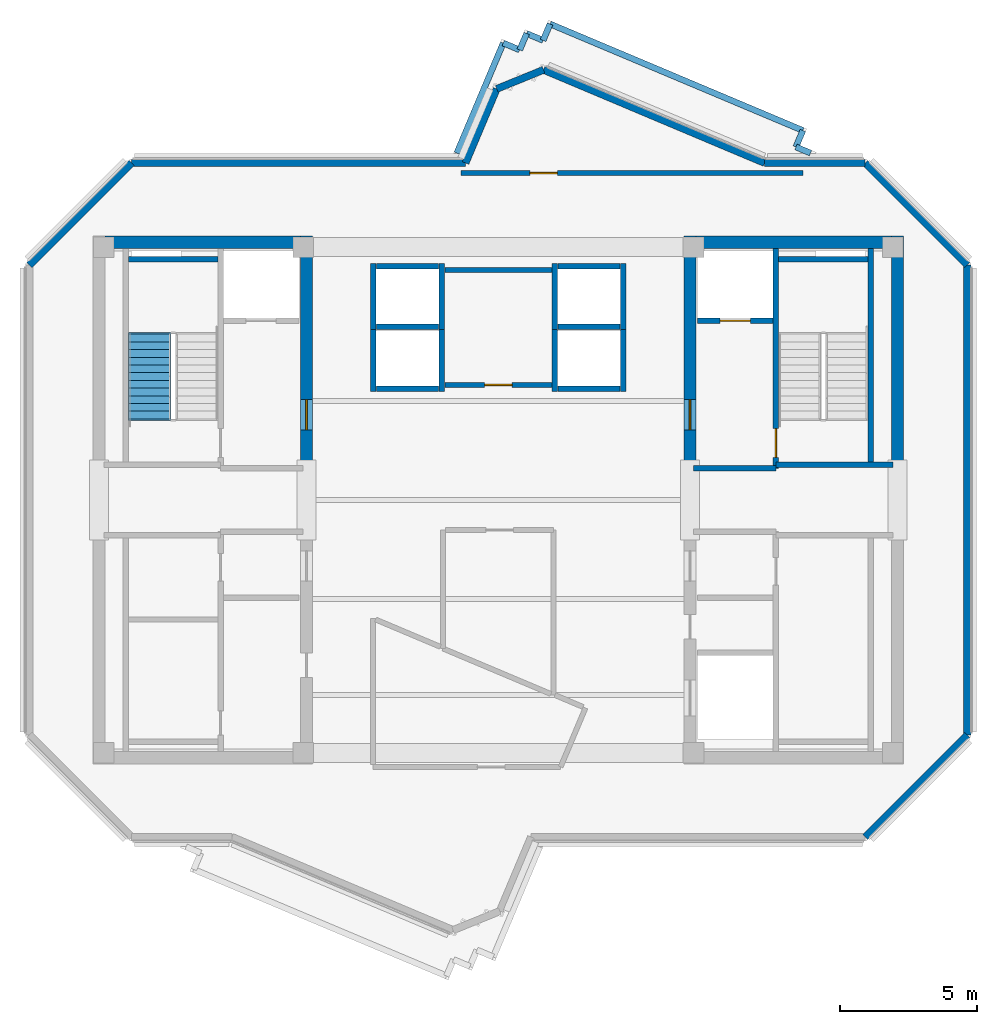
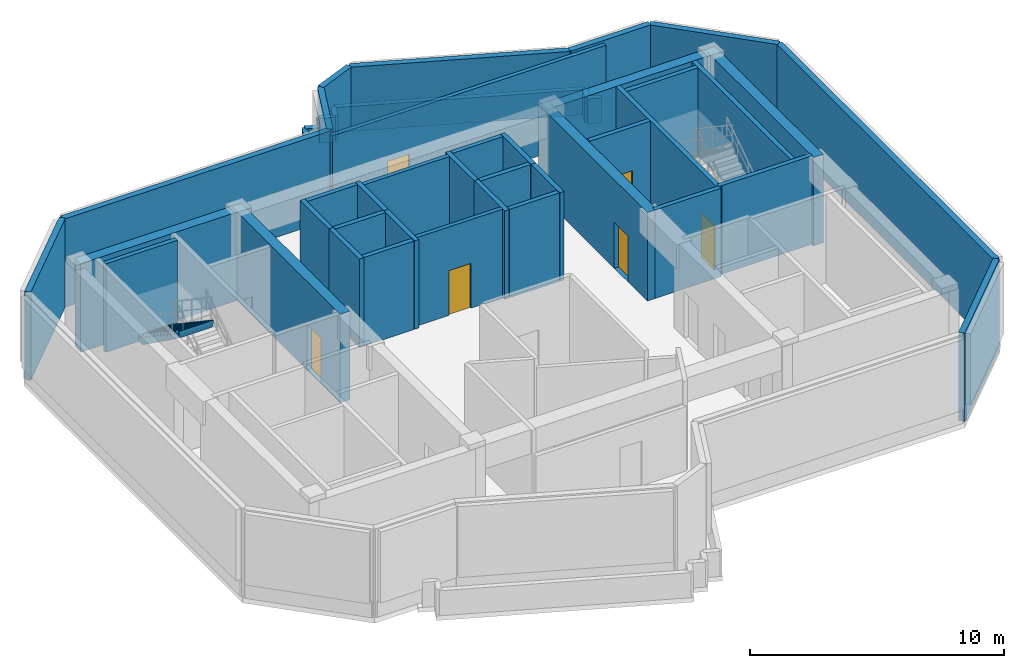
# One storey, part 3 of 6: 46 walls, 6 doors, 1 stair flight, 6 openings, 1 element without a shape of its own.
"""IFC4 building model written with IfcOpenShell, lengths in metres."""

from ifc_helpers import new_model, si_unit, direction, frame, frame_2d, origin, place, context, subcontext, project, spatial, polyline, rectangle, outline, extrude, source, transform, mapped, material, layer, layer_set, type_object, element, fill, aggregate, save


model = new_model("IFC4")

# Units and contexts
model_context = context("Model", 3, precision=1e-05, world=origin(), true_north=direction((0.0, 1.0)))
body_context = subcontext(model_context, "Body", "Model", "MODEL_VIEW")
ifc_project = project(units=[si_unit("LENGTHUNIT", "METRE"), si_unit("AREAUNIT", "SQUARE_METRE"), si_unit("VOLUMEUNIT", "CUBIC_METRE"), si_unit("PLANEANGLEUNIT", "RADIAN"), si_unit("MASSUNIT", "GRAM", prefix="KILO")], contexts=[model_context])

# Site, building, storey
site_placement = place(None, origin())
site = spatial("IfcSite", under=ifc_project, at=site_placement, CompositionType="ELEMENT")
building_placement = place(site_placement, origin())
building = spatial("IfcBuilding", under=site, at=building_placement, Name="Zahravan Cultural Tower", CompositionType="ELEMENT")
storey_placement = place(building_placement, frame((0.0, 0.0, 370.64990234375)))
storey = spatial("IfcBuildingStorey", under=building, at=storey_placement, Name="L90", CompositionType="ELEMENT", Elevation=370.64990234375)

# Wall, opening, door
ifc_material_1 = material(Name="Concrete C50/60", Category="concrete")
ifc_layer_1 = layer(ifc_material_1, 0.449951171875)
ifc_layer_set_1 = layer_set([ifc_layer_1], Name="Concrete C50/60")
wall_type_1 = type_object("IfcWallType", Name="CW-SHEAR-450-C50", PredefinedType="SHEAR", material=ifc_layer_set_1)
wall_1_placement = place(storey_placement, frame((29.02490234375, 28.050048828125, 0.0), z_axis=(0.0, 0.0, 1.0), x_axis=(0.0, 1.0, 0.0)))
wall_1 = element("IfcWall", 1, at=wall_1_placement, inside=storey, type_object=wall_type_1, Name="L90 Core Shear Wall CW-W-EN-L90", PredefinedType="SHEAR", context=body_context, shape_type="SweptSolid", body=[
    extrude(rectangle(XDim=8.550048828125, YDim=0.449951171875, at=frame_2d((4.27490234375, 0.0))), origin(), (0.0, 0.0, 1.0), 4.25),
])
opening_1_placement = place(wall_1_placement, frame((1.5, 0.0, 0.0)))
opening_1 = element("IfcOpeningElement", 2, at=opening_1_placement, cuts=wall_1, Name="Opening D-L90-06", PredefinedType="OPENING", context=body_context, shape_type="SweptSolid", body=[
    extrude(rectangle(XDim=1.10009765625, YDim=2.199951171875, at=frame_2d((0.550048828125, 1.10009765625))), frame((0.0, 0.23486328125, 0.0), z_axis=(0.0, -1.0, 0.0), x_axis=(1.0, 0.0, 0.0)), (0.0, 0.0, 1.0), 0.469970703125),
])
ifc_material_2 = material(Name="Steel ASTM A572 Grade 50", Category="steel")
door_type_1 = type_object("IfcDoorType", Name="DR-LOBBY-1100", OperationType="NOTDEFINED", PredefinedType="DOOR", material=ifc_material_2)
shared_shape_1 = source(origin(), body_context, "Body", "SweptSolid", [
    extrude(rectangle(XDim=1.10009765625, YDim=2.199951171875, at=frame_2d((0.550048828125, 1.10009765625))), frame((0.0, 0.02490234375, 0.0), z_axis=(0.0, -1.0, 0.0), x_axis=(1.0, 0.0, 0.0)), (0.0, 0.0, 1.0), 0.050048828125),
])
door_1_placement = place(opening_1_placement, origin())
door_1 = element("IfcDoor", 3, at=door_1_placement, inside=storey, type_object=door_type_1, Name="L90 Door D-L90-06", OperationType="SINGLE_SWING_RIGHT", OverallHeight=2.199951171875, OverallWidth=1.10009765625, PredefinedType="DOOR", context=body_context, shape_type="MappedRepresentation", body=[
    mapped(shared_shape_1, transform((0.0, 0.0, 0.0), x_axis=(1.0, 0.0, 0.0), y_axis=(0.0, 1.0, 0.0), z_axis=(0.0, 0.0, 1.0), scale=1.0)),
])
fill(opening_1, door_1)

wall_2_placement = place(storey_placement, frame((42.97509765625, 28.050048828125, 0.0), z_axis=(0.0, 0.0, 1.0), x_axis=(0.0, 1.0, 0.0)))
wall_2 = element("IfcWall", 4, at=wall_2_placement, inside=storey, type_object=wall_type_1, Name="L90 Core Shear Wall CW-E-WN-L90", PredefinedType="SHEAR", context=body_context, shape_type="SweptSolid", body=[
    extrude(rectangle(XDim=8.550048828125, YDim=0.449951171875, at=frame_2d((4.27490234375, 0.0))), origin(), (0.0, 0.0, 1.0), 4.25),
])
opening_2_placement = place(wall_2_placement, frame((1.5, 0.0, 0.0)))
opening_2 = element("IfcOpeningElement", 5, at=opening_2_placement, cuts=wall_2, Name="Opening D-L90-07", PredefinedType="OPENING", context=body_context, shape_type="SweptSolid", body=[
    extrude(rectangle(XDim=1.10009765625, YDim=2.199951171875, at=frame_2d((0.550048828125, 1.10009765625))), frame((0.0, 0.23486328125, 0.0), z_axis=(0.0, -1.0, 0.0), x_axis=(1.0, 0.0, 0.0)), (0.0, 0.0, 1.0), 0.469970703125),
])
door_2_placement = place(opening_2_placement, origin())
door_2 = element("IfcDoor", 6, at=door_2_placement, inside=storey, type_object=door_type_1, Name="L90 Door D-L90-07", OperationType="SINGLE_SWING_LEFT", OverallHeight=2.199951171875, OverallWidth=1.10009765625, PredefinedType="DOOR", context=body_context, shape_type="MappedRepresentation", body=[
    mapped(shared_shape_1, transform((0.0, 0.0, 0.0), x_axis=(1.0, 0.0, 0.0), y_axis=(0.0, 1.0, 0.0), z_axis=(0.0, 0.0, 1.0), scale=1.0)),
])
fill(opening_2, door_2)

ifc_material_3 = material(Name="Gypsum plasterboard partition")
ifc_layer_2 = layer(ifc_material_3, 0.179931640625)
ifc_layer_set_2 = layer_set([ifc_layer_2], Name="Gypsum plasterboard partition")
wall_type_2 = type_object("IfcWallType", Name="W-COMP-180", PredefinedType="PARTITIONING", material=ifc_layer_set_2)
wall_3_placement = place(storey_placement, frame((37.945068359375, 31.18994140625, 0.0), z_axis=(0.0, 0.0, 1.0), x_axis=(-1.0, 0.0, 0.0)))
wall_3 = element("IfcWall", 7, at=wall_3_placement, inside=storey, type_object=wall_type_2, Name="L90 Interior Wall 042", PredefinedType="PARTITIONING", context=body_context, shape_type="SweptSolid", body=[
    extrude(rectangle(XDim=3.89013671875, YDim=0.179931640625, at=frame_2d((1.945068359375, 0.0))), origin(), (0.0, 0.0, 1.0), 4.25),
])
opening_3_placement = place(wall_3_placement, frame((1.445068359375, 0.0, 0.0)))
opening_3 = element("IfcOpeningElement", 8, at=opening_3_placement, cuts=wall_3, Name="Opening D-L90-12", PredefinedType="OPENING", context=body_context, shape_type="SweptSolid", body=[
    extrude(rectangle(XDim=1.0, YDim=2.14990234375, at=frame_2d((0.5, 1.074951171875))), frame((0.0, 0.099853515625, 0.0), z_axis=(0.0, -1.0, 0.0), x_axis=(1.0, 0.0, 0.0)), (0.0, 0.0, 1.0), 0.199951171875),
])
door_type_2 = type_object("IfcDoorType", Name="DR-COMP-1000", OperationType="NOTDEFINED", PredefinedType="DOOR", material=ifc_material_2)
shared_shape_2 = source(origin(), body_context, "Body", "SweptSolid", [
    extrude(rectangle(XDim=1.0, YDim=2.14990234375, at=frame_2d((0.5, 1.074951171875))), frame((0.0, 0.02490234375, 0.0), z_axis=(0.0, -1.0, 0.0), x_axis=(1.0, 0.0, 0.0)), (0.0, 0.0, 1.0), 0.050048828125),
])
door_3_placement = place(opening_3_placement, origin())
door_3 = element("IfcDoor", 9, at=door_3_placement, inside=storey, type_object=door_type_2, Name="L90 Door D-L90-12", OperationType="SINGLE_SWING_RIGHT", OverallHeight=2.14990234375, OverallWidth=1.0, PredefinedType="DOOR", context=body_context, shape_type="MappedRepresentation", body=[
    mapped(shared_shape_2, transform((0.0, 0.0, 0.0), x_axis=(1.0, 0.0, 0.0), y_axis=(0.0, 1.0, 0.0), z_axis=(0.0, 0.0, 1.0), scale=1.0)),
])
fill(opening_3, door_3)

wall_4_placement = place(storey_placement, frame((47.07861328125, 38.89111328125, 0.0), z_axis=(0.0, 0.0, 1.0), x_axis=(-0.999999995176, -9.8227967e-05, 0.0)))
wall_4 = element("IfcWall", 10, at=wall_4_placement, inside=storey, type_object=wall_type_2, Name="L90 Interior Wall 047", PredefinedType="PARTITIONING", context=body_context, shape_type="SweptSolid", body=[
    extrude(rectangle(XDim=12.42724609375, YDim=0.179931640625, at=frame_2d((6.213623046875, 0.0))), origin(), (0.0, 0.0, 1.0), 4.25),
])
opening_4_placement = place(wall_4_placement, frame((8.92724609375, 0.0, 0.0)))
opening_4 = element("IfcOpeningElement", 11, at=opening_4_placement, cuts=wall_4, Name="Opening D-L90-13", PredefinedType="OPENING", context=body_context, shape_type="SweptSolid", body=[
    extrude(rectangle(XDim=1.0, YDim=2.14990234375, at=frame_2d((0.5, 1.074951171875))), frame((0.0, 0.099853515625, 0.0), z_axis=(0.0, -1.0, 0.0), x_axis=(1.0, 0.0, 0.0)), (0.0, 0.0, 1.0), 0.199951171875),
])
door_4_placement = place(opening_4_placement, origin())
door_4 = element("IfcDoor", 12, at=door_4_placement, inside=storey, type_object=door_type_2, Name="L90 Door D-L90-13", OperationType="SINGLE_SWING_LEFT", OverallHeight=2.14990234375, OverallWidth=1.0, PredefinedType="DOOR", context=body_context, shape_type="MappedRepresentation", body=[
    mapped(shared_shape_2, transform((0.0, 0.0, 0.0), x_axis=(1.0, 0.0, 0.0), y_axis=(0.0, 1.0, 0.0), z_axis=(0.0, 0.0, 1.0), scale=1.0)),
])
fill(opening_4, door_4)

ifc_material_4 = material(Name="Concrete C45/55", Category="concrete")
ifc_layer_3 = layer(ifc_material_4, 0.199951171875)
ifc_layer_set_3 = layer_set([ifc_layer_3], Name="Concrete C45/55")
wall_type_3 = type_object("IfcWallType", Name="W-SHAFT-200", PredefinedType="SOLIDWALL", material=ifc_layer_set_3)
wall_5_placement = place(storey_placement, frame((46.10009765625, 28.14990234375, 0.0), z_axis=(0.0, 0.0, 1.0), x_axis=(0.0, 1.0, 0.0)))
wall_5 = element("IfcWall", 13, at=wall_5_placement, inside=storey, type_object=wall_type_3, Name="L90 Interior Wall 008", PredefinedType="SOLIDWALL", context=body_context, shape_type="SweptSolid", body=[
    extrude(rectangle(XDim=8.0, YDim=0.199951171875, at=frame_2d((4.0, 0.0))), origin(), (0.0, 0.0, 1.0), 4.25),
])
opening_5_placement = place(wall_5_placement, frame((0.39990234375, 0.0, 0.0)))
opening_5 = element("IfcOpeningElement", 14, at=opening_5_placement, cuts=wall_5, Name="Opening D-L90-02", PredefinedType="OPENING", context=body_context, shape_type="SweptSolid", body=[
    extrude(rectangle(XDim=1.050048828125, YDim=2.14990234375, at=frame_2d((0.52490234375, 1.074951171875))), frame((0.0, 0.10986328125, 0.0), z_axis=(0.0, -1.0, 0.0), x_axis=(1.0, 0.0, 0.0)), (0.0, 0.0, 1.0), 0.219970703125),
])
door_type_3 = type_object("IfcDoorType", Name="DR-STAIR-1050", OperationType="NOTDEFINED", PredefinedType="DOOR", material=ifc_material_2)
shared_shape_3 = source(origin(), body_context, "Body", "SweptSolid", [
    extrude(rectangle(XDim=1.050048828125, YDim=2.14990234375, at=frame_2d((0.52490234375, 1.074951171875))), frame((0.0, 0.02490234375, 0.0), z_axis=(0.0, -1.0, 0.0), x_axis=(1.0, 0.0, 0.0)), (0.0, 0.0, 1.0), 0.050048828125),
])
door_5_placement = place(opening_5_placement, origin())
door_5 = element("IfcDoor", 15, at=door_5_placement, inside=storey, type_object=door_type_3, Name="L90 Door D-L90-02", OperationType="SINGLE_SWING_RIGHT", OverallHeight=2.14990234375, OverallWidth=1.050048828125, PredefinedType="DOOR", context=body_context, shape_type="MappedRepresentation", body=[
    mapped(shared_shape_3, transform((0.0, 0.0, 0.0), x_axis=(1.0, 0.0, 0.0), y_axis=(0.0, 1.0, 0.0), z_axis=(0.0, 0.0, 1.0), scale=1.0)),
])
fill(opening_5, door_5)

wall_6_placement = place(storey_placement, frame((43.25, 33.52001953125, 0.0), z_axis=(0.0, 0.0, 1.0), x_axis=(1.0, 0.0, 0.0)))
wall_6 = element("IfcWall", 16, at=wall_6_placement, inside=storey, type_object=wall_type_3, Name="L90 Interior Wall 023", PredefinedType="SOLIDWALL", context=body_context, shape_type="SweptSolid", body=[
    extrude(rectangle(XDim=2.75, YDim=0.199951171875, at=frame_2d((1.375, 0.0))), origin(), (0.0, 0.0, 1.0), 4.25),
])
opening_6_placement = place(wall_6_placement, frame((0.820068359375, 0.0, 0.0)))
opening_6 = element("IfcOpeningElement", 17, at=opening_6_placement, cuts=wall_6, Name="Opening LD-L90-02", PredefinedType="OPENING", context=body_context, shape_type="SweptSolid", body=[
    extrude(rectangle(XDim=1.10009765625, YDim=2.14990234375, at=frame_2d((0.550048828125, 1.074951171875))), frame((0.0, 0.10986328125, 0.0), z_axis=(0.0, -1.0, 0.0), x_axis=(1.0, 0.0, 0.0)), (0.0, 0.0, 1.0), 0.219970703125),
])
door_type_4 = type_object("IfcDoorType", Name="DR-LIFT-1100", OperationType="DOUBLE_DOOR_SLIDING", PredefinedType="DOOR", material=ifc_material_2)
shared_shape_4 = source(origin(), body_context, "Body", "SweptSolid", [
    extrude(rectangle(XDim=1.10009765625, YDim=2.14990234375, at=frame_2d((0.550048828125, 1.074951171875))), frame((0.0, 0.02490234375, 0.0), z_axis=(0.0, -1.0, 0.0), x_axis=(1.0, 0.0, 0.0)), (0.0, 0.0, 1.0), 0.050048828125),
])
door_6_placement = place(opening_6_placement, origin())
door_6 = element("IfcDoor", 18, at=door_6_placement, inside=storey, type_object=door_type_4, Name="L90 Door LD-L90-02", OperationType="DOUBLE_DOOR_SLIDING", OverallHeight=2.14990234375, OverallWidth=1.10009765625, PredefinedType="DOOR", context=body_context, shape_type="MappedRepresentation", body=[
    mapped(shared_shape_4, transform((0.0, 0.0, 0.0), x_axis=(1.0, 0.0, 0.0), y_axis=(0.0, 1.0, 0.0), z_axis=(0.0, 0.0, 1.0), scale=1.0)),
])
fill(opening_6, door_6)

# Walls
shared_shape_5 = source(origin(), body_context, "Body", "SweptSolid", [
    extrude(rectangle(XDim=8.550048828125, YDim=0.449951171875, at=frame_2d((4.27490234375, 0.0))), origin(), (0.0, 0.0, 1.0), 4.25),
])
wall_7_placement = place(storey_placement, frame((50.52490234375, 28.050048828125, 0.0), z_axis=(0.0, 0.0, 1.0), x_axis=(0.0, 1.0, 0.0)))
element("IfcWall", 19, at=wall_7_placement, inside=storey, type_object=wall_type_1, Name="L90 Core Shear Wall CW-E-EN-L90", PredefinedType="SHEAR", context=body_context, shape_type="MappedRepresentation", body=[
    mapped(shared_shape_5, transform((0.0, 0.0, 0.0), x_axis=(1.0, 0.0, 0.0), y_axis=(0.0, 1.0, 0.0), z_axis=(0.0, 0.0, 1.0), scale=1.0)),
])
shared_shape_6 = source(origin(), body_context, "Body", "SweptSolid", [
    extrude(rectangle(XDim=7.10009765625, YDim=0.449951171875, at=frame_2d((3.550048828125, 0.0))), origin(), (0.0, 0.0, 1.0), 4.25),
])
for number, where, z_axis, x_axis, name in (
    (20, (21.699951171875, 36.375, 0.0), (0.0, 0.0, 1.0), (1.0, 0.0, 0.0), "L90 Core Shear Wall CW-W-N-L90"),
    (21, (43.199951171875, 36.375, 0.0), (0.0, 0.0, 1.0), (1.0, 0.0, 0.0), "L90 Core Shear Wall CW-E-N-L90"),
):
    element("IfcWall", number, at=place(storey_placement, frame(where, z_axis=z_axis, x_axis=x_axis)), inside=storey, type_object=wall_type_1, Name=name, PredefinedType="SHEAR", context=body_context, shape_type="MappedRepresentation", body=[
        mapped(shared_shape_6, transform((0.0, 0.0, 0.0), x_axis=(1.0, 0.0, 0.0), y_axis=(0.0, 1.0, 0.0), z_axis=(0.0, 0.0, 1.0), scale=1.0)),
    ])
ifc_material_5 = material(Name="Precast concrete C40/50", Category="concrete")
ifc_layer_4 = layer(ifc_material_5, 0.219970703125)
ifc_layer_set_4 = layer_set([ifc_layer_4], Name="Precast concrete C40/50")
wall_type_4 = type_object("IfcWallType", Name="EW-PARAPET-220", PredefinedType="PARAPET", material=ifc_layer_set_4)
shared_shape_7 = source(origin(), body_context, "Body", "SweptSolid", [
    extrude(rectangle(XDim=0.650146484375, YDim=0.219970703125, at=frame_2d((0.3251953125, 0.0))), origin(), (0.0, 0.0, 1.0), 1.2001953125),
])
for number, where, z_axis, x_axis, name in (
    (22, (36.77880859375, 43.372314453125, 0.0), (0.0, 0.0, 1.0), (0.388292021409, 0.921536383498, 0.0), "L90 Setback Roof Parapet 1"),
    (23, (47.07958984375, 40.442626953125, 0.0), (0.0, 0.0, 1.0), (-0.388610857807, -0.921401975901, 0.0), "L90 Setback Roof Parapet 5"),
):
    element("IfcWall", number, at=place(storey_placement, frame(where, z_axis=z_axis, x_axis=x_axis)), inside=storey, type_object=wall_type_4, Name=name, PredefinedType="PARAPET", context=body_context, shape_type="MappedRepresentation", body=[
        mapped(shared_shape_7, transform((0.0, 0.0, 0.0), x_axis=(1.0, 0.0, 0.0), y_axis=(0.0, 1.0, 0.0), z_axis=(0.0, 0.0, 1.0), scale=1.0)),
    ])
shared_shape_8 = source(origin(), body_context, "Body", "SweptSolid", [
    extrude(rectangle(XDim=0.64990234375, YDim=0.219970703125, at=frame_2d((0.324951171875, 0.0))), origin(), (0.0, 0.0, 1.0), 1.2001953125),
])
for number, where, z_axis, x_axis, name in (
    (24, (37.03125, 43.971435546875, 0.0), (0.0, 0.0, 1.0), (0.921479736051, -0.388426435824, 0.0), "L90 Setback Roof Parapet 2"),
    (25, (37.630126953125, 43.718994140625, 0.0), (0.0, 0.0, 1.0), (0.388426435824, 0.921479736051, 0.0), "L90 Setback Roof Parapet 3"),
    (26, (36.179931640625, 43.624755859375, 0.0), (0.0, 0.0, 1.0), (0.921479736051, -0.388426435824, 0.0), "L90 Setback Roof Parapet 8"),
):
    element("IfcWall", number, at=place(storey_placement, frame(where, z_axis=z_axis, x_axis=x_axis)), inside=storey, type_object=wall_type_4, Name=name, PredefinedType="PARAPET", context=body_context, shape_type="MappedRepresentation", body=[
        mapped(shared_shape_8, transform((0.0, 0.0, 0.0), x_axis=(1.0, 0.0, 0.0), y_axis=(0.0, 1.0, 0.0), z_axis=(0.0, 0.0, 1.0), scale=1.0)),
    ])
shared_shape_9 = source(origin(), body_context, "Body", "SweptSolid", [
    extrude(rectangle(XDim=9.980224609375, YDim=0.219970703125, at=frame_2d((4.990234375, 0.0))), origin(), (0.0, 0.0, 1.0), 1.2001953125),
])
wall_8_placement = place(storey_placement, frame((37.882568359375, 44.31787109375, 0.0), z_axis=(0.0, 0.0, 1.0), x_axis=(0.921534500121, -0.388296491211, 0.0)))
element("IfcWall", 27, at=wall_8_placement, inside=storey, type_object=wall_type_4, Name="L90 Setback Roof Parapet 4", PredefinedType="PARAPET", context=body_context, shape_type="MappedRepresentation", body=[
    mapped(shared_shape_9, transform((0.0, 0.0, 0.0), x_axis=(1.0, 0.0, 0.0), y_axis=(0.0, 1.0, 0.0), z_axis=(0.0, 0.0, 1.0), scale=1.0)),
])
shared_shape_10 = source(origin(), body_context, "Body", "SweptSolid", [
    extrude(rectangle(XDim=0.57568359375, YDim=0.219970703125, at=frame_2d((0.287841796875, 0.0))), origin(), (0.0, 0.0, 1.0), 1.2001953125),
])
wall_9_placement = place(storey_placement, frame((46.826904296875, 39.843505859375, 0.0), z_axis=(0.0, 0.0, 1.0), x_axis=(0.921627391381, -0.388075960936, 0.0)))
element("IfcWall", 28, at=wall_9_placement, inside=storey, type_object=wall_type_4, Name="L90 Setback Roof Parapet 6", PredefinedType="PARAPET", context=body_context, shape_type="MappedRepresentation", body=[
    mapped(shared_shape_10, transform((0.0, 0.0, 0.0), x_axis=(1.0, 0.0, 0.0), y_axis=(0.0, 1.0, 0.0), z_axis=(0.0, 0.0, 1.0), scale=1.0)),
])
shared_shape_11 = source(origin(), body_context, "Body", "SweptSolid", [
    extrude(rectangle(XDim=4.345703125, YDim=0.219970703125, at=frame_2d((2.1728515625, 0.0))), origin(), (0.0, 0.0, 1.0), 1.2001953125),
])
wall_10_placement = place(storey_placement, frame((34.4921875, 39.6201171875, 0.0), z_axis=(0.0, 0.0, 1.0), x_axis=(0.38836589704, 0.9215052523, 0.0)))
element("IfcWall", 29, at=wall_10_placement, inside=storey, type_object=wall_type_4, Name="L90 Setback Roof Parapet 7", PredefinedType="PARAPET", context=body_context, shape_type="MappedRepresentation", body=[
    mapped(shared_shape_11, transform((0.0, 0.0, 0.0), x_axis=(1.0, 0.0, 0.0), y_axis=(0.0, 1.0, 0.0), z_axis=(0.0, 0.0, 1.0), scale=1.0)),
])
ifc_layer_5 = layer(ifc_material_5, 0.260009765625)
ifc_layer_set_5 = layer_set([ifc_layer_5], Name="Precast concrete C40/50")
wall_type_5 = type_object("IfcWallType", Name="EW-CROWN-260", PredefinedType="SOLIDWALL", material=ifc_layer_set_5)
shared_shape_12 = source(origin(), body_context, "Body", "SweptSolid", [
    extrude(rectangle(XDim=2.92529296875, YDim=0.260009765625, at=frame_2d((1.462646484375, 0.0))), origin(), (0.0, 0.0, 1.0), 4.25),
])
wall_11_placement = place(storey_placement, frame((34.80712890625, 39.260009765625, 0.0), z_axis=(0.0, 0.0, 1.0), x_axis=(0.388321883953, 0.921523800259, 0.0)))
element("IfcWall", 30, at=wall_11_placement, inside=storey, type_object=wall_type_5, Name="L90 Exterior Masonry Frame Wall 01", PredefinedType="SOLIDWALL", context=body_context, shape_type="MappedRepresentation", body=[
    mapped(shared_shape_12, transform((0.0, 0.0, 0.0), x_axis=(1.0, 0.0, 0.0), y_axis=(0.0, 1.0, 0.0), z_axis=(0.0, 0.0, 1.0), scale=1.0)),
])
shared_shape_13 = source(origin(), body_context, "Body", "SweptSolid", [
    extrude(rectangle(XDim=1.838623046875, YDim=0.260009765625, at=frame_2d((0.91943359375, 0.0))), origin(), (0.0, 0.0, 1.0), 4.25),
])
wall_12_placement = place(storey_placement, frame((35.943115234375, 41.955810546875, 0.0), z_axis=(0.0, 0.0, 1.0), x_axis=(0.926216039781, 0.376993166586, 0.0)))
element("IfcWall", 31, at=wall_12_placement, inside=storey, type_object=wall_type_5, Name="L90 Exterior Masonry Frame Wall 02", PredefinedType="SOLIDWALL", context=body_context, shape_type="MappedRepresentation", body=[
    mapped(shared_shape_13, transform((0.0, 0.0, 0.0), x_axis=(1.0, 0.0, 0.0), y_axis=(0.0, 1.0, 0.0), z_axis=(0.0, 0.0, 1.0), scale=1.0)),
])
shared_shape_14 = source(origin(), body_context, "Body", "SweptSolid", [
    extrude(rectangle(XDim=8.72705078125, YDim=0.260009765625, at=frame_2d((4.363525390625, 0.0))), origin(), (0.0, 0.0, 1.0), 4.25),
])
wall_13_placement = place(storey_placement, frame((37.64599609375, 42.64892578125, 0.0), z_axis=(0.0, 0.0, 1.0), x_axis=(0.921524227272, -0.38832087061, 0.0)))
element("IfcWall", 32, at=wall_13_placement, inside=storey, type_object=wall_type_5, Name="L90 Exterior Masonry Frame Wall 03", PredefinedType="SOLIDWALL", context=body_context, shape_type="MappedRepresentation", body=[
    mapped(shared_shape_14, transform((0.0, 0.0, 0.0), x_axis=(1.0, 0.0, 0.0), y_axis=(0.0, 1.0, 0.0), z_axis=(0.0, 0.0, 1.0), scale=1.0)),
])
shared_shape_15 = source(origin(), body_context, "Body", "SweptSolid", [
    extrude(rectangle(XDim=3.65380859375, YDim=0.260009765625, at=frame_2d((1.826904296875, 0.0))), origin(), (0.0, 0.0, 1.0), 4.25),
])
wall_14_placement = place(storey_placement, frame((45.688232421875, 39.260009765625, 0.0), z_axis=(0.0, 0.0, 1.0), x_axis=(1.0, 0.0, 0.0)))
element("IfcWall", 33, at=wall_14_placement, inside=storey, type_object=wall_type_5, Name="L90 Exterior Masonry Frame Wall 04", PredefinedType="SOLIDWALL", context=body_context, shape_type="MappedRepresentation", body=[
    mapped(shared_shape_15, transform((0.0, 0.0, 0.0), x_axis=(1.0, 0.0, 0.0), y_axis=(0.0, 1.0, 0.0), z_axis=(0.0, 0.0, 1.0), scale=1.0)),
])
shared_shape_16 = source(origin(), body_context, "Body", "SweptSolid", [
    extrude(rectangle(XDim=5.258056640625, YDim=0.260009765625, at=frame_2d((2.62890625, 0.0))), origin(), (0.0, 0.0, 1.0), 4.25),
])
for number, where, z_axis, x_axis, name in (
    (34, (49.342041015625, 39.260009765625, 0.0), (0.0, 0.0, 1.0), (0.707106781187, -0.707106781187, 0.0), "L90 Exterior Masonry Frame Wall 05"),
    (35, (53.06005859375, 18.4580078125, 0.0), (0.0, 0.0, 1.0), (-0.707106781187, -0.707106781187, 0.0), "L90 Exterior Masonry Frame Wall 07"),
    (36, (18.93994140625, 35.5419921875, 0.0), (0.0, 0.0, 1.0), (0.707106781187, 0.707106781187, 0.0), "L90 Exterior Masonry Frame Wall 15"),
):
    element("IfcWall", number, at=place(storey_placement, frame(where, z_axis=z_axis, x_axis=x_axis)), inside=storey, type_object=wall_type_5, Name=name, PredefinedType="SOLIDWALL", context=body_context, shape_type="MappedRepresentation", body=[
        mapped(shared_shape_16, transform((0.0, 0.0, 0.0), x_axis=(1.0, 0.0, 0.0), y_axis=(0.0, 1.0, 0.0), z_axis=(0.0, 0.0, 1.0), scale=1.0)),
    ])
shared_shape_17 = source(origin(), body_context, "Body", "SweptSolid", [
    extrude(rectangle(XDim=17.083984375, YDim=0.260009765625, at=frame_2d((8.5419921875, 0.0))), origin(), (0.0, 0.0, 1.0), 4.25),
])
wall_15_placement = place(storey_placement, frame((53.06005859375, 35.5419921875, 0.0), z_axis=(0.0, 0.0, 1.0), x_axis=(0.0, -1.0, 0.0)))
element("IfcWall", 37, at=wall_15_placement, inside=storey, type_object=wall_type_5, Name="L90 Exterior Masonry Frame Wall 06", PredefinedType="SOLIDWALL", context=body_context, shape_type="MappedRepresentation", body=[
    mapped(shared_shape_17, transform((0.0, 0.0, 0.0), x_axis=(1.0, 0.0, 0.0), y_axis=(0.0, 1.0, 0.0), z_axis=(0.0, 0.0, 1.0), scale=1.0)),
])
shared_shape_18 = source(origin(), body_context, "Body", "SweptSolid", [
    extrude(rectangle(XDim=12.149169921875, YDim=0.260009765625, at=frame_2d((6.07470703125, 0.0))), origin(), (0.0, 0.0, 1.0), 4.25),
])
wall_16_placement = place(storey_placement, frame((22.657958984375, 39.260009765625, 0.0), z_axis=(0.0, 0.0, 1.0), x_axis=(1.0, 0.0, 0.0)))
element("IfcWall", 38, at=wall_16_placement, inside=storey, type_object=wall_type_5, Name="L90 Exterior Masonry Frame Wall 16", PredefinedType="SOLIDWALL", context=body_context, shape_type="MappedRepresentation", body=[
    mapped(shared_shape_18, transform((0.0, 0.0, 0.0), x_axis=(1.0, 0.0, 0.0), y_axis=(0.0, 1.0, 0.0), z_axis=(0.0, 0.0, 1.0), scale=1.0)),
])
shared_shape_19 = source(origin(), body_context, "Body", "SweptSolid", [
    extrude(rectangle(XDim=7.869873046875, YDim=0.199951171875, at=frame_2d((3.93505859375, 0.0))), origin(), (0.0, 0.0, 1.0), 4.25),
])
wall_17_placement = place(storey_placement, frame((49.550048828125, 28.280029296875, 0.0), z_axis=(0.0, 0.0, 1.0), x_axis=(0.0, 1.0, 0.0)))
element("IfcWall", 39, at=wall_17_placement, inside=storey, type_object=wall_type_3, Name="L90 Interior Wall 004", PredefinedType="SOLIDWALL", context=body_context, shape_type="MappedRepresentation", body=[
    mapped(shared_shape_19, transform((0.0, 0.0, 0.0), x_axis=(1.0, 0.0, 0.0), y_axis=(0.0, 1.0, 0.0), z_axis=(0.0, 0.0, 1.0), scale=1.0)),
])
shared_shape_20 = source(origin(), body_context, "Body", "SweptSolid", [
    extrude(rectangle(XDim=4.25, YDim=0.199951171875, at=frame_2d((2.125, 0.0))), origin(), (0.0, 0.0, 1.0), 4.25),
])
wall_18_placement = place(storey_placement, frame((46.10009765625, 28.284912109375, 0.0), z_axis=(0.0, 0.0, 1.0), x_axis=(1.0, 0.0, 0.0)))
element("IfcWall", 40, at=wall_18_placement, inside=storey, type_object=wall_type_3, Name="L90 Interior Wall 016", PredefinedType="SOLIDWALL", context=body_context, shape_type="MappedRepresentation", body=[
    mapped(shared_shape_20, transform((0.0, 0.0, 0.0), x_axis=(1.0, 0.0, 0.0), y_axis=(0.0, 1.0, 0.0), z_axis=(0.0, 0.0, 1.0), scale=1.0)),
])
shared_shape_21 = source(origin(), body_context, "Body", "SweptSolid", [
    extrude(rectangle(XDim=3.0, YDim=0.199951171875, at=frame_2d((1.5, 0.0))), origin(), (0.0, 0.0, 1.0), 4.25),
])
wall_19_placement = place(storey_placement, frame((43.10009765625, 28.14990234375, 0.0), z_axis=(0.0, 0.0, 1.0), x_axis=(1.0, 0.0, 0.0)))
element("IfcWall", 41, at=wall_19_placement, inside=storey, type_object=wall_type_3, Name="L90 Interior Wall 015", PredefinedType="SOLIDWALL", context=body_context, shape_type="MappedRepresentation", body=[
    mapped(shared_shape_21, transform((0.0, 0.0, 0.0), x_axis=(1.0, 0.0, 0.0), y_axis=(0.0, 1.0, 0.0), z_axis=(0.0, 0.0, 1.0), scale=1.0)),
])
shared_shape_22 = source(origin(), body_context, "Body", "SweptSolid", [
    extrude(rectangle(XDim=3.25, YDim=0.199951171875, at=frame_2d((1.625, 0.0))), origin(), (0.0, 0.0, 1.0), 4.25),
])
for number, where, z_axis, x_axis, name in (
    (42, (22.550048828125, 35.75, 0.0), (0.0, 0.0, 1.0), (1.0, 0.0, 0.0), "L90 Interior Wall 017"),
    (43, (46.199951171875, 35.75, 0.0), (0.0, 0.0, 1.0), (1.0, 0.0, 0.0), "L90 Interior Wall 018"),
):
    element("IfcWall", number, at=place(storey_placement, frame(where, z_axis=z_axis, x_axis=x_axis)), inside=storey, type_object=wall_type_3, Name=name, PredefinedType="SOLIDWALL", context=body_context, shape_type="MappedRepresentation", body=[
        mapped(shared_shape_22, transform((0.0, 0.0, 0.0), x_axis=(1.0, 0.0, 0.0), y_axis=(0.0, 1.0, 0.0), z_axis=(0.0, 0.0, 1.0), scale=1.0)),
    ])
shared_shape_23 = source(origin(), body_context, "Body", "SweptSolid", [
    extrude(rectangle(XDim=2.400146484375, YDim=0.199951171875, at=frame_2d((1.2001953125, 0.0))), origin(), (0.0, 0.0, 1.0), 4.25),
])
for number, where, z_axis, x_axis, name in (
    (44, (31.449951171875, 33.199951171875, 0.0), (0.0, 0.0, 1.0), (0.0, 1.0, 0.0), "L90 Interior Wall 027"),
    (45, (33.949951171875, 33.199951171875, 0.0), (0.0, 0.0, 1.0), (0.0, 1.0, 0.0), "L90 Interior Wall 028"),
    (46, (31.449951171875, 30.949951171875, 0.0), (0.0, 0.0, 1.0), (0.0, 1.0, 0.0), "L90 Interior Wall 031"),
    (47, (33.949951171875, 30.949951171875, 0.0), (0.0, 0.0, 1.0), (0.0, 1.0, 0.0), "L90 Interior Wall 032"),
    (48, (38.050048828125, 33.199951171875, 0.0), (0.0, 0.0, 1.0), (0.0, 1.0, 0.0), "L90 Interior Wall 034"),
    (49, (40.550048828125, 33.199951171875, 0.0), (0.0, 0.0, 1.0), (0.0, 1.0, 0.0), "L90 Interior Wall 035"),
    (50, (38.050048828125, 30.949951171875, 0.0), (0.0, 0.0, 1.0), (0.0, 1.0, 0.0), "L90 Interior Wall 038"),
    (51, (40.550048828125, 30.949951171875, 0.0), (0.0, 0.0, 1.0), (0.0, 1.0, 0.0), "L90 Interior Wall 039"),
):
    element("IfcWall", number, at=place(storey_placement, frame(where, z_axis=z_axis, x_axis=x_axis)), inside=storey, type_object=wall_type_3, Name=name, PredefinedType="SOLIDWALL", context=body_context, shape_type="MappedRepresentation", body=[
        mapped(shared_shape_23, transform((0.0, 0.0, 0.0), x_axis=(1.0, 0.0, 0.0), y_axis=(0.0, 1.0, 0.0), z_axis=(0.0, 0.0, 1.0), scale=1.0)),
    ])
shared_shape_24 = source(origin(), body_context, "Body", "SweptSolid", [
    extrude(rectangle(XDim=2.260009765625, YDim=0.199951171875, at=frame_2d((1.1298828125, 0.0))), origin(), (0.0, 0.0, 1.0), 4.25),
])
for number, where, z_axis, x_axis, name in (
    (52, (31.570068359375, 33.300048828125, 0.0), (0.0, 0.0, 1.0), (1.0, 0.0, 0.0), "L90 Interior Wall 029"),
    (53, (31.570068359375, 35.5, 0.0), (0.0, 0.0, 1.0), (1.0, 0.0, 0.0), "L90 Interior Wall 030"),
    (54, (31.570068359375, 31.050048828125, 0.0), (0.0, 0.0, 1.0), (1.0, 0.0, 0.0), "L90 Interior Wall 033"),
    (55, (38.169921875, 33.300048828125, 0.0), (0.0, 0.0, 1.0), (1.0, 0.0, 0.0), "L90 Interior Wall 036"),
    (56, (38.169921875, 35.5, 0.0), (0.0, 0.0, 1.0), (1.0, 0.0, 0.0), "L90 Interior Wall 037"),
    (57, (38.169921875, 31.050048828125, 0.0), (0.0, 0.0, 1.0), (1.0, 0.0, 0.0), "L90 Interior Wall 040"),
):
    element("IfcWall", number, at=place(storey_placement, frame(where, z_axis=z_axis, x_axis=x_axis)), inside=storey, type_object=wall_type_3, Name=name, PredefinedType="SOLIDWALL", context=body_context, shape_type="MappedRepresentation", body=[
        mapped(shared_shape_24, transform((0.0, 0.0, 0.0), x_axis=(1.0, 0.0, 0.0), y_axis=(0.0, 1.0, 0.0), z_axis=(0.0, 0.0, 1.0), scale=1.0)),
    ])
shared_shape_25 = source(origin(), body_context, "Body", "SweptSolid", [
    extrude(rectangle(XDim=3.89013671875, YDim=0.179931640625, at=frame_2d((1.945068359375, 0.0))), origin(), (0.0, 0.0, 1.0), 4.25),
])
wall_20_placement = place(storey_placement, frame((34.054931640625, 35.360107421875, 0.0), z_axis=(0.0, 0.0, 1.0), x_axis=(1.0, 0.0, 0.0)))
element("IfcWall", 58, at=wall_20_placement, inside=storey, type_object=wall_type_2, Name="L90 Interior Wall 041", PredefinedType="PARTITIONING", context=body_context, shape_type="MappedRepresentation", body=[
    mapped(shared_shape_25, transform((0.0, 0.0, 0.0), x_axis=(1.0, 0.0, 0.0), y_axis=(0.0, 1.0, 0.0), z_axis=(0.0, 0.0, 1.0), scale=1.0)),
])

# Stair, stair flight
stair_type = type_object("IfcStairType", Name="STR-DL-1550-450", PredefinedType="HALF_TURN_STAIR", material=ifc_material_4)
stair_placement = place(storey_placement, origin())
stair = element("IfcStair", 59, at=stair_placement, inside=storey, type_object=stair_type, Name="L90 West Core North Exit Stair ST-W1", PredefinedType="HALF_TURN_STAIR")
stair_flight_type = type_object("IfcStairFlightType", Name="FLG-DL-1550-450", PredefinedType="STRAIGHT", material=ifc_material_4)
stair_flight_placement = place(storey_placement, frame((23.324951171875, 33.030029296875, 2.25), z_axis=(0.0, 0.0, 1.0), x_axis=(0.0, -1.0, 0.0)))
stair_flight = element("IfcStairFlight", 60, at=stair_flight_placement, type_object=stair_flight_type, Name="ST-W1 flight 2", NumberOfRisers=12, NumberOfTreads=11, PredefinedType="STRAIGHT", RiserHeight=0.1875, TreadLength=0.28, context=body_context, shape_type="SweptSolid", body=[
    extrude(outline(polyline([(-0.06494140625, -0.139892578125), (-0.06494140625, 0.0), (0.0, 0.0), (0.0, 0.1875), (0.280029296875, 0.1875), (0.280029296875, 0.375), (0.56005859375, 0.375), (0.56005859375, 0.5625), (0.840087890625, 0.5625), (0.840087890625, 0.75), (1.1201171875, 0.75), (1.1201171875, 0.9375), (1.39990234375, 0.9375), (1.39990234375, 1.125), (1.679931640625, 1.125), (1.679931640625, 1.3125), (1.9599609375, 1.3125), (1.9599609375, 1.5), (2.239990234375, 1.5), (2.239990234375, 1.6875), (2.52001953125, 1.6875), (2.52001953125, 1.875), (2.800048828125, 1.875), (2.800048828125, 2.0625), (3.080078125, 2.0625), (3.080078125, 2.25), (3.14501953125, 2.25), (3.14501953125, 2.10009765625), (3.080078125, 1.882080078125), (0.26953125, -0.139892578125), (-0.06494140625, -0.139892578125)])), frame((0.0, 0.77490234375, 0.0), z_axis=(0.0, -1.0, 0.0), x_axis=(1.0, 0.0, 0.0)), (0.0, 0.0, 1.0), 1.550048828125),
])
aggregate(stair, [stair_flight])

save(model, "model.ifc")
